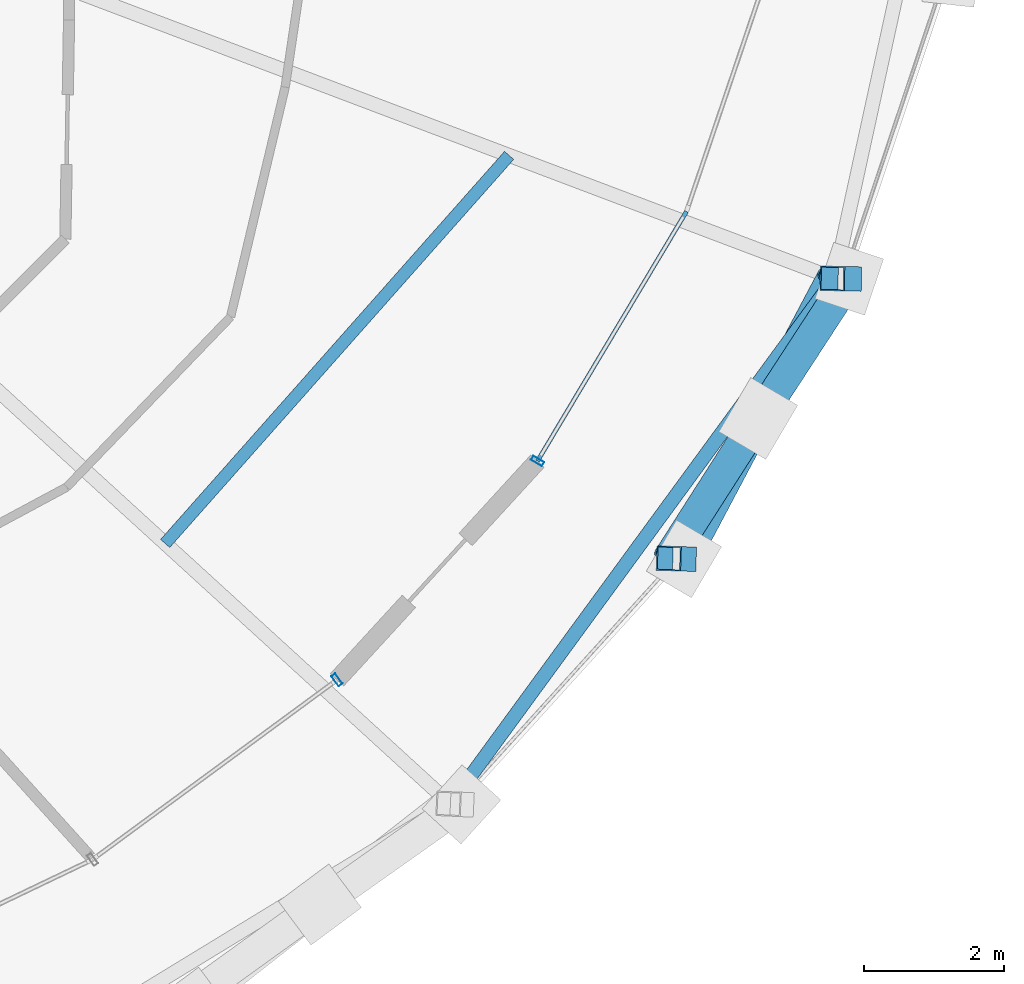
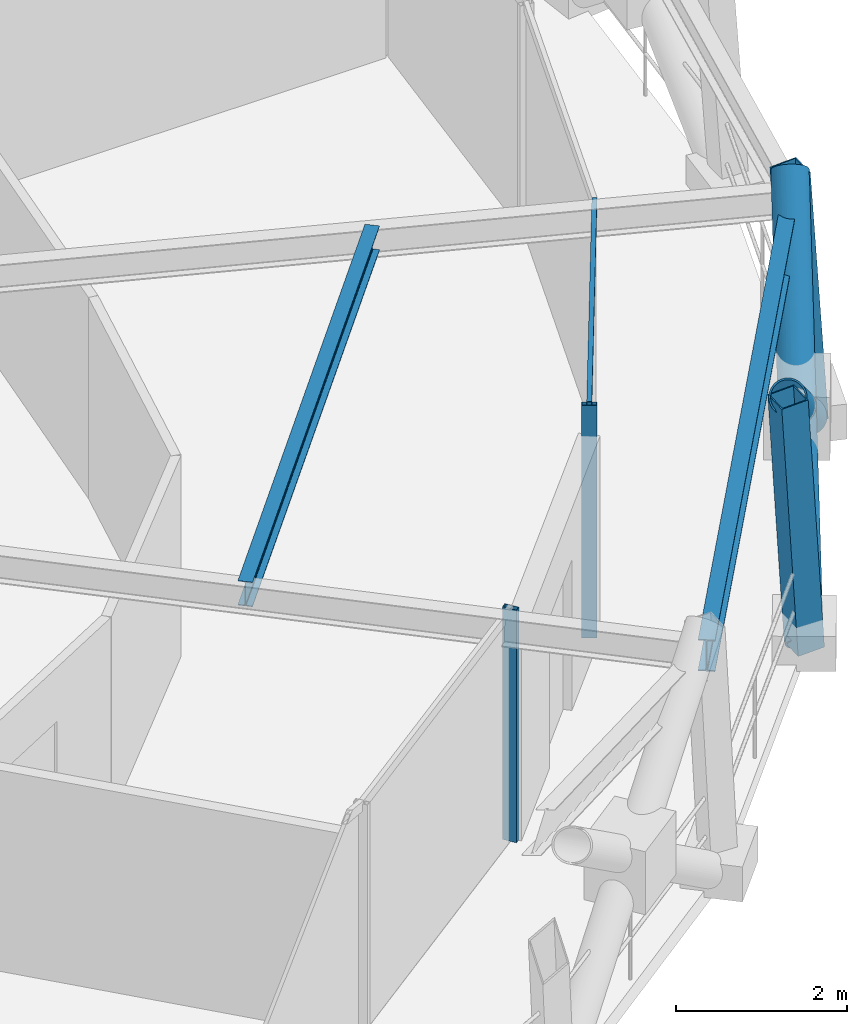
# One storey, part 6 of 17: 8 members, 2 beams, 2 elements without a shape of their own.
"""IFC4 building model written with IfcOpenShell, lengths in metres."""

from ifc_helpers import new_model, si_unit, direction, frame, origin, origin_2d, place, context, subcontext, project, spatial, hollow_rectangle, hollow_circle, i_section, extrude, material, layer, layer_set, material_profile, profile_set, type_object, element, aggregate, save


model = new_model("IFC4")

# Units and contexts
model_context = context("Model", 3, precision=1e-05, world=origin(), true_north=direction((0.0, 1.0)))
body_context = subcontext(model_context, "Body", "Model", "MODEL_VIEW")
ifc_project = project(units=[si_unit("LENGTHUNIT", "METRE"), si_unit("AREAUNIT", "SQUARE_METRE"), si_unit("VOLUMEUNIT", "CUBIC_METRE"), si_unit("PLANEANGLEUNIT", "RADIAN"), si_unit("MASSUNIT", "GRAM", prefix="KILO")], contexts=[model_context])

# Site, building, storey
site_placement = place(None, origin())
site = spatial("IfcSite", under=ifc_project, at=site_placement, CompositionType="ELEMENT")
building_placement = place(site_placement, origin())
building = spatial("IfcBuilding", under=site, at=building_placement, Name="Veldorina Hangang Commons", CompositionType="ELEMENT")
storey_placement = place(building_placement, frame((0.0, 0.0, 214.800048828125)))
storey = spatial("IfcBuildingStorey", under=building, at=storey_placement, Name="L55", CompositionType="ELEMENT", Elevation=214.800048828125)

# Beams
ifc_material_1 = material(Name="Steel SM355-TMC", Category="steel")
ifc_material_profile_1 = material_profile(ifc_material_1, i_section(OverallWidth=0.175048828125, OverallDepth=0.35009765625, WebThickness=0.007080078125, FlangeThickness=0.010986328125, FilletRadius=0.012939453125, at=origin_2d()), Name="H-350x175x7x11")
ifc_profile_set_1 = profile_set([ifc_material_profile_1], Name="Steel SM355-TMC")
beam_type_1 = type_object("IfcBeamType", Name="BM-JST350", PredefinedType="JOIST", material=ifc_profile_set_1)
beam_1_placement = place(storey_placement, frame((45.85498046875, 11.343505859375, 3.18505859375), z_axis=(0.663311283838, 0.748343598044, 0.0), x_axis=(-0.748343598044, 0.663311283838, 0.0)))
element("IfcBeam", 1, at=beam_1_placement, inside=storey, type_object=beam_type_1, Name="L55 secondary floor joist 15", PredefinedType="JOIST", context=body_context, shape_type="SweptSolid", body=[
    extrude(i_section(OverallWidth=0.175048828125, OverallDepth=0.35009765625, WebThickness=0.007080078125, FlangeThickness=0.010986328125, FilletRadius=0.012939453125, at=origin_2d()), origin(), (0.0, 0.0, 1.0), 7.4189453125),
])
ifc_material_profile_2 = material_profile(ifc_material_1, i_section(OverallWidth=0.199951171875, OverallDepth=0.449951171875, WebThickness=0.009033203125, FlangeThickness=0.013916015625, FilletRadius=0.01611328125, at=origin_2d()), Name="H-450x200x9x14")
ifc_profile_set_2 = profile_set([ifc_material_profile_2], Name="Steel SM355-TMC")
beam_type_2 = type_object("IfcBeamType", Name="BM-RB450", PredefinedType="BEAM", material=ifc_profile_set_2)
beam_2_placement = place(storey_placement, frame((49.93408203125, 7.61767578125, 3.135009765625), z_axis=(0.590384630347, 0.807122040493, 0.0), x_axis=(-0.807122040493, 0.590384630347, 0.0)))
element("IfcBeam", 2, at=beam_2_placement, inside=storey, type_object=beam_type_2, Name="L55 perimeter hoop ring beam 28", PredefinedType="BEAM", context=body_context, shape_type="SweptSolid", body=[
    extrude(i_section(OverallWidth=0.199951171875, OverallDepth=0.449951171875, WebThickness=0.009033203125, FlangeThickness=0.013916015625, FilletRadius=0.01611328125, at=origin_2d()), origin(), (0.0, 0.0, 1.0), 9.312255859375),
])

# Curtain wall, member
ifc_material_2 = material(Name="Glass Low-E Selective", Category="glass")
ifc_layer = layer(ifc_material_2, 0.179931640625)
ifc_layer_set = layer_set([ifc_layer], Name="Glass Low-E Selective")
curtain_wall_type = type_object("IfcCurtainWallType", Name="CW-SYS-Z3", PredefinedType="NOTDEFINED", material=ifc_layer_set)
curtain_wall_1_placement = place(storey_placement, origin())
curtain_wall_1 = element("IfcCurtainWall", 3, at=curtain_wall_1_placement, inside=storey, type_object=curtain_wall_type, Name="L55 unitised curtain wall CW-L55-R1", PredefinedType="NOTDEFINED")
ifc_material_3 = material(Name="Aluminium Anodized AA6063-T6", Category="aluminium")
ifc_material_profile_3 = material_profile(ifc_material_3, hollow_rectangle(XDim=0.070068359375, YDim=0.179931640625, WallThickness=0.00390625, at=origin_2d()), Name="ALU-RHS-180x70x4")
ifc_profile_set_3 = profile_set([ifc_material_profile_3], Name="Aluminium Anodized AA6063-T6")
member_type_1 = type_object("IfcMemberType", Name="CW-MUL-180", PredefinedType="MULLION", material=ifc_profile_set_3)
member_1_placement = place(storey_placement, frame((48.31298828125, 9.39208984375, 0.0), z_axis=(0.0, 0.0, 1.0), x_axis=(-0.805804273623, -0.592181959038, 0.0)))
member_1 = element("IfcMember", 4, at=member_1_placement, type_object=member_type_1, Name="CW-L55-R1 vertical mullion 4", PredefinedType="MULLION", context=body_context, shape_type="SweptSolid", body=[
    extrude(hollow_rectangle(XDim=0.070068359375, YDim=0.179931640625, WallThickness=0.00390625, at=origin_2d()), origin(), (0.0, 0.0, 1.0), 3.320068359375),
])
aggregate(curtain_wall_1, [member_1])

# Curtain wall, members
curtain_wall_2_placement = place(storey_placement, origin())
curtain_wall_2 = element("IfcCurtainWall", 5, at=curtain_wall_2_placement, inside=storey, type_object=curtain_wall_type, Name="L55 unitised curtain wall CW-L55-R2", PredefinedType="NOTDEFINED")
member_2_placement = place(storey_placement, frame((51.181884765625, 12.522705078125, 0.0), z_axis=(0.0, 0.0, 1.0), x_axis=(0.512537505299, 0.858664838957, 0.0)))
member_2 = element("IfcMember", 6, at=member_2_placement, type_object=member_type_1, Name="CW-L55-R2 vertical mullion 1", PredefinedType="MULLION", context=body_context, shape_type="SweptSolid", body=[
    extrude(hollow_rectangle(XDim=0.070068359375, YDim=0.179931640625, WallThickness=0.00390625, at=origin_2d()), origin(), (0.0, 0.0, 1.0), 3.320068359375),
])
ifc_material_profile_4 = material_profile(ifc_material_3, hollow_rectangle(XDim=0.06005859375, YDim=0.139892578125, WallThickness=0.00341796875, at=origin_2d()), Name="ALU-RHS-140x60x3.5")
ifc_profile_set_4 = profile_set([ifc_material_profile_4], Name="Aluminium Anodized AA6063-T6")
member_type_2 = type_object("IfcMemberType", Name="CW-TRN-140", PredefinedType="USERDEFINED", material=ifc_profile_set_4)
member_3_placement = place(storey_placement, frame((51.181884765625, 12.522705078125, 3.280029296875), z_axis=(0.512578271, 0.858640504576, 0.0), x_axis=(-0.858640504576, 0.512578271, 0.0)))
member_3 = element("IfcMember", 7, at=member_3_placement, type_object=member_type_2, Name="CW-L55-R2 facet 1 transom 1", ObjectType="TRANSOM", PredefinedType="USERDEFINED", context=body_context, shape_type="SweptSolid", body=[
    extrude(hollow_rectangle(XDim=0.06005859375, YDim=0.139892578125, WallThickness=0.00341796875, at=origin_2d()), origin(), (0.0, 0.0, 1.0), 4.159423828125),
])
aggregate(curtain_wall_2, [member_2, member_3])

# Members
ifc_material_profile_5 = material_profile(ifc_material_1, hollow_circle(Radius=0.22509765625, WallThickness=0.02197265625, at=origin_2d()), Name="CHS-450x22")
ifc_profile_set_5 = profile_set([ifc_material_profile_5], Name="Steel SM355-TMC")
member_type_3 = type_object("IfcMemberType", Name="DG-CHS450", PredefinedType="BRACE", material=ifc_profile_set_5)
member_4_placement = place(storey_placement, frame((53.27734375, 11.12255859375, 0.0), z_axis=(0.366503498298, 0.692509139649, 0.621374506428), x_axis=(-0.883850706136, 0.467769098233, 0.0)))
element("IfcMember", 8, at=member_4_placement, inside=storey, type_object=member_type_3, Name="L55 continuous perimeter diagrid brace 29", PredefinedType="BRACE", context=body_context, shape_type="SweptSolid", body=[
    extrude(hollow_circle(Radius=0.22509765625, WallThickness=0.02197265625, at=origin_2d()), origin(), (0.0, 0.0, 1.0), 5.79345703125),
])
member_5_placement = place(storey_placement, frame((55.64208984375, 15.1298828125, 0.0), z_axis=(-0.435365412363, -0.668442299791, 0.603027237833), x_axis=(0.837940379801, -0.545761779441, 0.0)))
element("IfcMember", 9, at=member_5_placement, inside=storey, type_object=member_type_3, Name="L55 split perimeter diagrid lower brace 30", PredefinedType="BRACE", context=body_context, shape_type="SweptSolid", body=[
    extrude(hollow_circle(Radius=0.22509765625, WallThickness=0.02197265625, at=origin_2d()), origin(), (0.0, 0.0, 1.0), 2.989501953125),
])
member_6_placement = place(storey_placement, frame((54.340576171875, 13.131591796875, 1.802734375), z_axis=(-0.42975817798, -0.671963168277, 0.603136310412), x_axis=(0.842441127822, -0.538788405734, 0.0)))
element("IfcMember", 10, at=member_6_placement, inside=storey, type_object=member_type_3, Name="L55 split perimeter diagrid upper brace 30", PredefinedType="BRACE", context=body_context, shape_type="SweptSolid", body=[
    extrude(hollow_circle(Radius=0.22509765625, WallThickness=0.02197265625, at=origin_2d()), origin(), (0.0, 0.0, 1.0), 2.979736328125),
])
ifc_material_profile_6 = material_profile(ifc_material_1, hollow_rectangle(XDim=0.35009765625, YDim=0.35009765625, WallThickness=0.01611328125, at=origin_2d()), Name="SHS-350x350x16")
ifc_profile_set_6 = profile_set([ifc_material_profile_6], Name="Steel SM355-TMC")
member_type_4 = type_object("IfcMemberType", Name="STR-SHS350", PredefinedType="STRUT", material=ifc_profile_set_6)
member_7_placement = place(storey_placement, frame((53.27734375, 11.12255859375, 0.0), z_axis=(-0.060249682526, 0.00189549563, 0.998181538024), x_axis=(-0.031445116227, -0.999505480058, 0.0)))
element("IfcMember", 11, at=member_7_placement, inside=storey, type_object=member_type_4, Name="L55 perimeter ring node post 29", PredefinedType="STRUT", context=body_context, shape_type="SweptSolid", body=[
    extrude(hollow_rectangle(XDim=0.35009765625, YDim=0.35009765625, WallThickness=0.01611328125, at=origin_2d()), origin(), (0.0, 0.0, 1.0), 3.6064453125),
])
member_8_placement = place(storey_placement, frame((55.64208984375, 15.1298828125, 0.0), z_axis=(-0.066923158613, 0.001285682521, 0.997757304088), x_axis=(-0.019207780342, -0.99981551357, 0.0)))
element("IfcMember", 12, at=member_8_placement, inside=storey, type_object=member_type_4, Name="L55 perimeter ring node post 30", PredefinedType="STRUT", context=body_context, shape_type="SweptSolid", body=[
    extrude(hollow_rectangle(XDim=0.35009765625, YDim=0.35009765625, WallThickness=0.01611328125, at=origin_2d()), origin(), (0.0, 0.0, 1.0), 3.60791015625),
])

save(model, "model.ifc")
